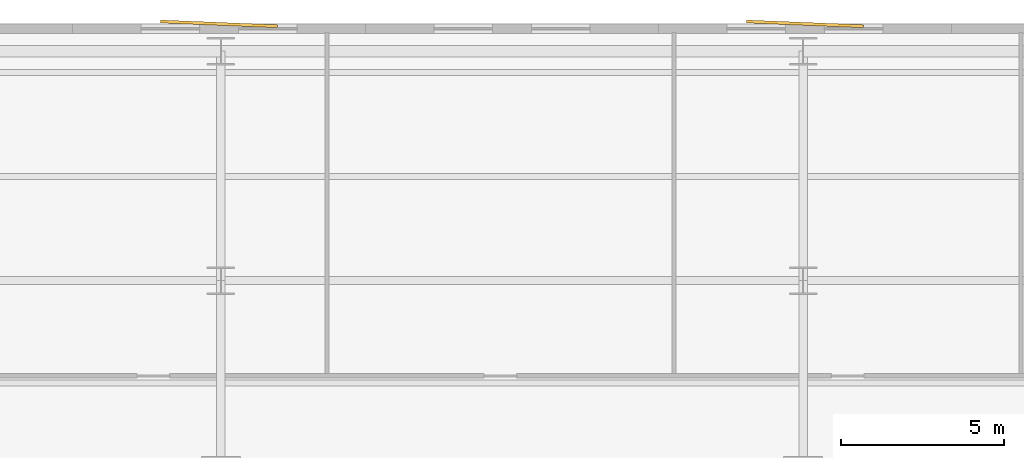
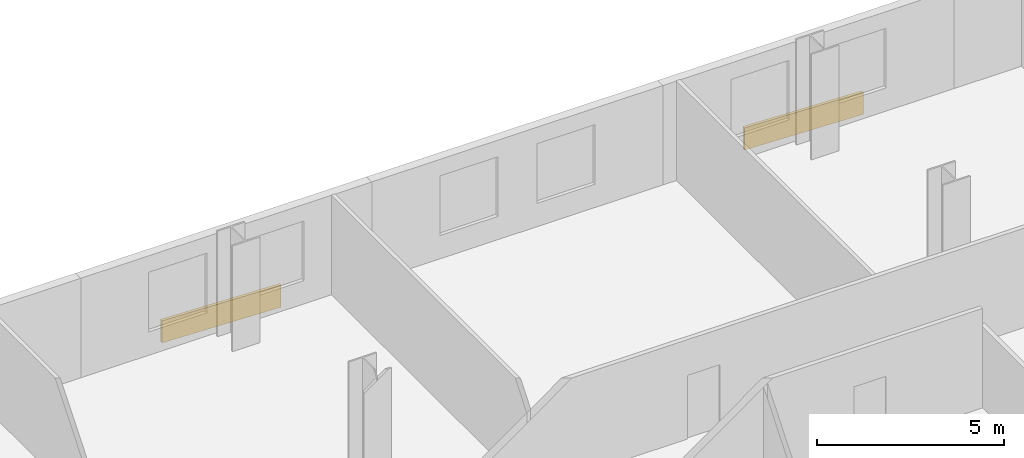
# One storey, part 10 of 10: 2 coverings.
"""IFC4 building model written with IfcOpenShell, lengths in metres."""

import ifcopenshell
import ifcopenshell.guid

model = None  # the IFC model being written
_history = None  # IfcOwnerHistory: only IFC2X3 demands one
_inside = {}  # id of a spatial element -> (the spatial element, [elements in it])
_under = {}  # id of a project, library or spatial element -> (it, [spatial elements below it])
_declared = {}  # id of a project -> (the project, [libraries it declares])
_typed = {}  # id of a type object -> (the type object, [elements of that type])
_made_of = {}  # id of a material, layer set ... -> (it, [elements and type objects made of it])


def new_model(schema):
    """Start an empty IFC model of exactly this schema.

    Asked for "IFC4X3", IfcOpenShell would pick the latest addendum, in which some entities
    have other attributes; the version numbers below select the first issue.
    IFC2X3 requires an IfcOwnerHistory on every rooted entity: one is made here for all.
    """
    global model, _history
    if schema == "IFC4X3":
        model = ifcopenshell.file(schema_version=(4, 3, 0, 0))
    else:
        model = ifcopenshell.file(schema=schema)
    _inside.clear()
    _under.clear()
    _declared.clear()
    _typed.clear()
    _made_of.clear()
    _history = None
    if model.schema == "IFC2X3":
        org = make("IfcOrganization", Name="unknown")
        user = make(
            "IfcPersonAndOrganization",
            ThePerson=make("IfcPerson", FamilyName="unknown"),
            TheOrganization=org,
        )
        app = make(
            "IfcApplication",
            ApplicationDeveloper=org,
            Version="unknown",
            ApplicationFullName="unknown",
            ApplicationIdentifier="unknown",
        )
        _history = make(
            "IfcOwnerHistory",
            OwningUser=user,
            OwningApplication=app,
            ChangeAction="ADDED",
            CreationDate=0,
        )
    return model


def make(cls, **values):
    """One entity of the class cls with the attributes given. An attribute that is None is left unset."""
    return model.create_entity(
        cls, **{name: value for name, value in values.items() if value is not None}
    )


def rooted(cls, **values):
    """An entity with a GlobalId (a new one), such as an element, a storey or a relation."""
    return make(cls, GlobalId=ifcopenshell.guid.new(), OwnerHistory=_history, **values)


def si_unit(unit_type, name, prefix=None):
    """IfcSIUnit, for example si_unit("LENGTHUNIT", "METRE", prefix="MILLI")."""
    return make("IfcSIUnit", UnitType=unit_type, Prefix=prefix, Name=name)


def assignment(units):
    """IfcUnitAssignment: the units of a project."""
    return None if units is None else make("IfcUnitAssignment", Units=units)


def point(xyz):
    """IfcCartesianPoint."""
    return None if xyz is None else make("IfcCartesianPoint", Coordinates=xyz)


def direction(xyz):
    """IfcDirection."""
    return None if xyz is None else make("IfcDirection", DirectionRatios=xyz)


def frame(location, z_axis=None, x_axis=None):
    """IfcAxis2Placement3D, a coordinate frame: its origin and axes. An axis left out is left unset."""
    return make(
        "IfcAxis2Placement3D",
        Location=point(location),
        Axis=direction(z_axis),
        RefDirection=direction(x_axis),
    )


def frame_2d(location, x_axis=None):
    """IfcAxis2Placement2D, a coordinate frame in the plane: its origin and x axis."""
    return make(
        "IfcAxis2Placement2D", Location=point(location), RefDirection=direction(x_axis)
    )


def origin():
    """The frame at (0, 0, 0) with its axes left unset."""
    return frame((0.0, 0.0, 0.0))


def origin_2d():
    """The frame at (0, 0) in the plane with its x axis left unset."""
    return frame_2d((0.0, 0.0))


def place(relative_to, where):
    """IfcLocalPlacement: puts the frame where relative to a parent placement (None: the world)."""
    return make(
        "IfcLocalPlacement", PlacementRelTo=relative_to, RelativePlacement=where
    )


def context(
    kind, dimensions, precision=None, world=None, true_north=None, identifier=None
):
    """IfcGeometricRepresentationContext, for example the 3D "Model" context."""
    return make(
        "IfcGeometricRepresentationContext",
        ContextIdentifier=identifier,
        ContextType=kind,
        CoordinateSpaceDimension=dimensions,
        Precision=precision,
        WorldCoordinateSystem=world,
        TrueNorth=true_north,
    )


def subcontext(parent, identifier, kind, view, scale=None):
    """IfcGeometricRepresentationSubContext, for example "Body" below "Model"."""
    return make(
        "IfcGeometricRepresentationSubContext",
        ContextIdentifier=identifier,
        ContextType=kind,
        ParentContext=parent,
        TargetScale=scale,
        TargetView=view,
    )


def project(units=None, contexts=None):
    """IfcProject with its units and contexts."""
    return rooted(
        "IfcProject",
        Name="project",
        RepresentationContexts=contexts,
        UnitsInContext=assignment(units),
    )


def spatial(cls, under=None, at=None, **own):
    """A site, building, storey or space (cls), placed at a placement, below another one or the project."""
    s = rooted(cls, ObjectPlacement=at, **own)
    if under is not None:
        _under.setdefault(under.id(), (under, []))[1].append(s)
    return s


def profile(cls, at=None, kind="AREA", **sizes):
    """A parametric profile (cls). Its sizes go by their IFC names, for example OverallWidth=200.0."""
    return make(cls, ProfileType=kind, Position=at, **sizes)


def rectangle(**sizes):
    """IfcRectangleProfileDef."""
    return profile("IfcRectangleProfileDef", **sizes)


def extrude(swept, where, along, depth):
    """IfcExtrudedAreaSolid: the profile swept, set in the frame where, extruded along a direction by depth."""
    return make(
        "IfcExtrudedAreaSolid",
        SweptArea=swept,
        Position=where,
        ExtrudedDirection=direction(along),
        Depth=depth,
    )


def shape(context_of_items, identifier, shape_type, items):
    """IfcShapeRepresentation: the items that make up one representation, for example the "Body"."""
    return make(
        "IfcShapeRepresentation",
        ContextOfItems=context_of_items,
        RepresentationIdentifier=identifier,
        RepresentationType=shape_type,
        Items=items,
    )


def material(Name=None, Category=None):
    """IfcMaterial."""
    return make("IfcMaterial", Name=Name, Category=Category)


def layer(
    of_material, thickness, ventilated=None, Name=None, Category=None, Priority=None
):
    """IfcMaterialLayer: one layer of a wall or slab, of a material (None: an air gap)."""
    return make(
        "IfcMaterialLayer",
        Material=of_material,
        LayerThickness=thickness,
        IsVentilated=ventilated,
        Name=Name,
        Category=Category,
        Priority=Priority,
    )


def layer_set(layers, Name=None):
    """IfcMaterialLayerSet."""
    return make("IfcMaterialLayerSet", MaterialLayers=layers, LayerSetName=Name)


def made_of(thing, what):
    """Note that an element or type object is made of a material, layer set ...; save() writes the relation."""
    if what is not None:
        _made_of.setdefault(what.id(), (what, []))[1].append(thing)
    return thing


def type_object(cls, material=None, **own):
    """A type object (cls), such as IfcWallType, which elements share."""
    return made_of(rooted(cls, **own), material)


def element(
    cls,
    number,
    at=None,
    inside=None,
    cuts=None,
    type_object=None,
    material=None,
    context=None,
    identifier="Body",
    shape_type=None,
    held_by="IfcProductDefinitionShape",
    body=None,
    shapes=None,
    **own,
):
    """One element of the class cls, such as IfcWall. Its Tag is "e" and its number.

    at: its placement. inside: the storey or other place that contains it. cuts: it is an
    opening in that element (IfcRelVoidsElement). A single representation is given by context,
    identifier, shape_type and body (its items); several are given by shapes. held_by: the class
    of the entity that holds the representations. save() writes the other relations.
    """
    e = rooted(cls, Tag="e%d" % number, ObjectPlacement=at, **own)
    if body is not None:
        shapes = [shape(context, identifier, shape_type, body)]
    if shapes is not None:
        e.Representation = make(held_by, Representations=shapes)
    if inside is not None:
        _inside.setdefault(inside.id(), (inside, []))[1].append(e)
    if cuts is not None:
        rooted(
            "IfcRelVoidsElement", RelatingBuildingElement=cuts, RelatedOpeningElement=e
        )
    if type_object is not None:
        _typed.setdefault(type_object.id(), (type_object, []))[1].append(e)
    return made_of(e, material)


def aggregate(whole, parts):
    """IfcRelAggregates: a whole, such as a stair, and the parts it consists of."""
    return rooted("IfcRelAggregates", RelatingObject=whole, RelatedObjects=parts)


def save(model, path):
    """Write the relations noted so far, then the file.

    IfcRelAggregates (storeys below a building ...), IfcRelContainedInSpatialStructure (elements
    in a storey), IfcRelDefinesByType, IfcRelAssociatesMaterial and IfcRelDeclares: one each for
    every whole, place, type object, material and project.
    """
    for whole, parts in _under.values():
        aggregate(whole, parts)
    for where, things in _inside.values():
        rooted(
            "IfcRelContainedInSpatialStructure",
            RelatedElements=things,
            RelatingStructure=where,
        )
    for kind, things in _typed.values():
        rooted("IfcRelDefinesByType", RelatedObjects=things, RelatingType=kind)
    for what, things in _made_of.values():
        rooted("IfcRelAssociatesMaterial", RelatedObjects=things, RelatingMaterial=what)
    for by, libraries in _declared.values():
        rooted("IfcRelDeclares", RelatingContext=by, RelatedDefinitions=libraries)
    model.write(path)


model = new_model("IFC4")

# Units and contexts
model_context = context("Model", 3, precision=1e-05, world=origin(), true_north=direction((0.0, 1.0)))
body_context = subcontext(model_context, "Body", "Model", "MODEL_VIEW")
ifc_project = project(units=[si_unit("LENGTHUNIT", "METRE"), si_unit("AREAUNIT", "SQUARE_METRE"), si_unit("VOLUMEUNIT", "CUBIC_METRE"), si_unit("PLANEANGLEUNIT", "RADIAN"), si_unit("MASSUNIT", "GRAM", prefix="KILO")], contexts=[model_context])

# Site, building, storey
site_placement = place(None, origin())
site = spatial("IfcSite", under=ifc_project, at=site_placement, CompositionType="ELEMENT")
building_placement = place(site_placement, origin())
building = spatial("IfcBuilding", under=site, at=building_placement, Name="Velakula Bourse", CompositionType="ELEMENT")
storey_placement = place(building_placement, frame((0.0, 0.0, 62.25)))
storey = spatial("IfcBuildingStorey", under=building, at=storey_placement, Name="L16", CompositionType="ELEMENT", Elevation=62.25)

# Coverings
ifc_material = material(Name="Red kilned clay facing brick masonry", Category="masonry")
ifc_layer = layer(ifc_material, 0.090087890625, Name="Red kilned clay facing brick masonry", Category="masonry")
ifc_layer_set = layer_set([ifc_layer], Name="Red kilned clay facing brick masonry")
covering_type = type_object("IfcCoveringType", Name="COV-BRK-FOLD-90", PredefinedType="CLADDING", material=ifc_layer_set)
for number, where, z_axis, x_axis, name in (
    (1, (-9.0, 22.489990234375, 0.0), (0.0, 0.0, 1.0), (0.999158993058, -0.041003738744, 0.0), "L16 Folded Brick Facade Cladding Panel N-B2"),
    (2, (9.0, 22.489990234375, 0.0), (0.0, 0.0, 1.0), (0.999158993058, -0.041003738744, 0.0), "L16 Folded Brick Facade Cladding Panel N-B4"),
):
    element("IfcCovering", number, at=place(storey_placement, frame(where, z_axis=z_axis, x_axis=x_axis)), inside=storey, type_object=covering_type, Name=name, PredefinedType="CLADDING", context=body_context, shape_type="SweptSolid", body=[
        extrude(rectangle(XDim=3.60009765625, YDim=0.090087890625, at=origin_2d()), origin(), (0.0, 0.0, 1.0), 0.719970703125),
    ])

save(model, "model.ifc")
